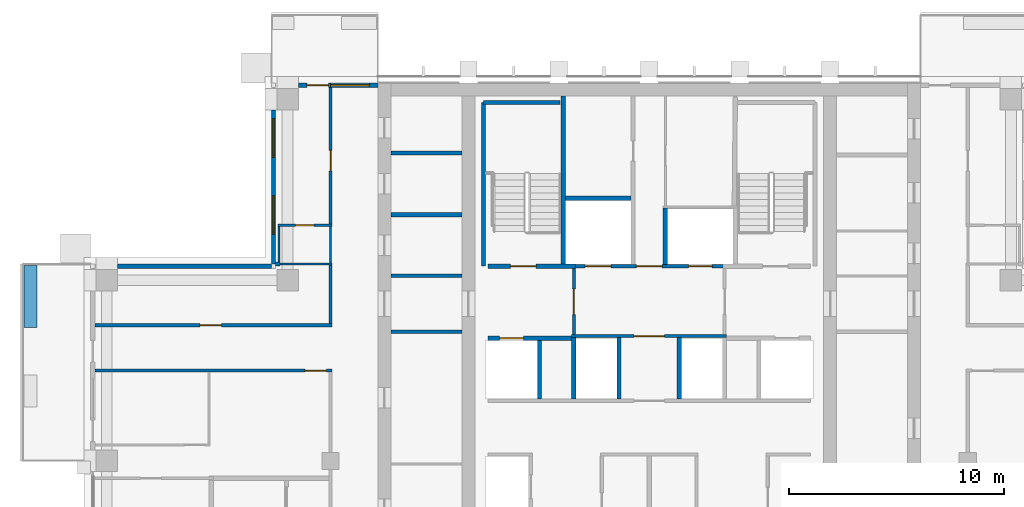
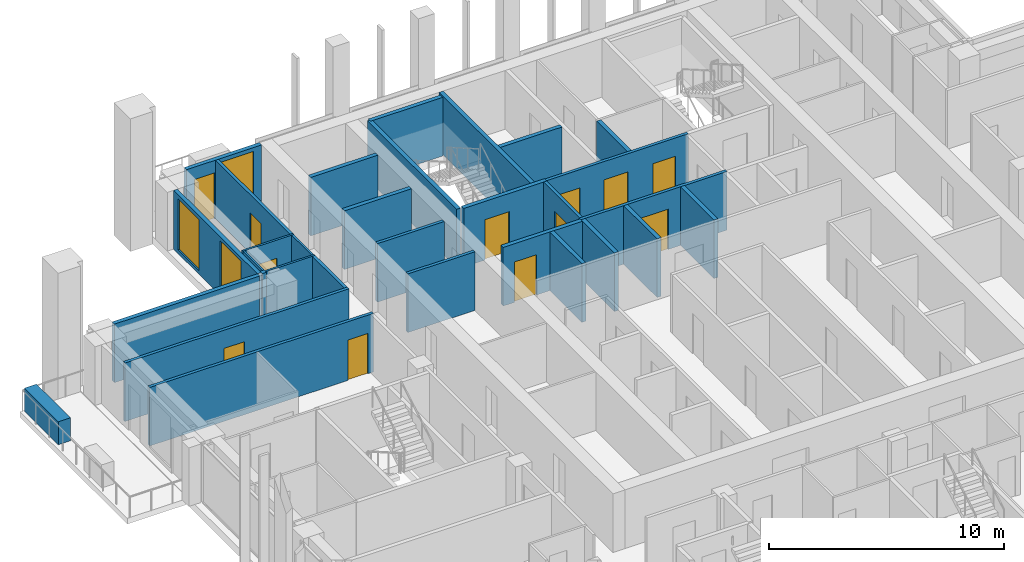
# One storey, part 10 of 16: 31 walls, 12 doors, 3 windows, 15 openings.
"""IFC4 building model written with IfcOpenShell, lengths in metres."""

import ifcopenshell
import ifcopenshell.guid

model = None  # the IFC model being written
_history = None  # IfcOwnerHistory: only IFC2X3 demands one
_inside = {}  # id of a spatial element -> (the spatial element, [elements in it])
_under = {}  # id of a project, library or spatial element -> (it, [spatial elements below it])
_declared = {}  # id of a project -> (the project, [libraries it declares])
_typed = {}  # id of a type object -> (the type object, [elements of that type])
_made_of = {}  # id of a material, layer set ... -> (it, [elements and type objects made of it])


def new_model(schema):
    """Start an empty IFC model of exactly this schema.

    Asked for "IFC4X3", IfcOpenShell would pick the latest addendum, in which some entities
    have other attributes; the version numbers below select the first issue.
    IFC2X3 requires an IfcOwnerHistory on every rooted entity: one is made here for all.
    """
    global model, _history
    if schema == "IFC4X3":
        model = ifcopenshell.file(schema_version=(4, 3, 0, 0))
    else:
        model = ifcopenshell.file(schema=schema)
    _inside.clear()
    _under.clear()
    _declared.clear()
    _typed.clear()
    _made_of.clear()
    _history = None
    if model.schema == "IFC2X3":
        org = make("IfcOrganization", Name="unknown")
        user = make(
            "IfcPersonAndOrganization",
            ThePerson=make("IfcPerson", FamilyName="unknown"),
            TheOrganization=org,
        )
        app = make(
            "IfcApplication",
            ApplicationDeveloper=org,
            Version="unknown",
            ApplicationFullName="unknown",
            ApplicationIdentifier="unknown",
        )
        _history = make(
            "IfcOwnerHistory",
            OwningUser=user,
            OwningApplication=app,
            ChangeAction="ADDED",
            CreationDate=0,
        )
    return model


def make(cls, **values):
    """One entity of the class cls with the attributes given. An attribute that is None is left unset."""
    return model.create_entity(
        cls, **{name: value for name, value in values.items() if value is not None}
    )


def rooted(cls, **values):
    """An entity with a GlobalId (a new one), such as an element, a storey or a relation."""
    return make(cls, GlobalId=ifcopenshell.guid.new(), OwnerHistory=_history, **values)


def si_unit(unit_type, name, prefix=None):
    """IfcSIUnit, for example si_unit("LENGTHUNIT", "METRE", prefix="MILLI")."""
    return make("IfcSIUnit", UnitType=unit_type, Prefix=prefix, Name=name)


def assignment(units):
    """IfcUnitAssignment: the units of a project."""
    return None if units is None else make("IfcUnitAssignment", Units=units)


def point(xyz):
    """IfcCartesianPoint."""
    return None if xyz is None else make("IfcCartesianPoint", Coordinates=xyz)


def direction(xyz):
    """IfcDirection."""
    return None if xyz is None else make("IfcDirection", DirectionRatios=xyz)


def frame(location, z_axis=None, x_axis=None):
    """IfcAxis2Placement3D, a coordinate frame: its origin and axes. An axis left out is left unset."""
    return make(
        "IfcAxis2Placement3D",
        Location=point(location),
        Axis=direction(z_axis),
        RefDirection=direction(x_axis),
    )


def frame_2d(location, x_axis=None):
    """IfcAxis2Placement2D, a coordinate frame in the plane: its origin and x axis."""
    return make(
        "IfcAxis2Placement2D", Location=point(location), RefDirection=direction(x_axis)
    )


def origin():
    """The frame at (0, 0, 0) with its axes left unset."""
    return frame((0.0, 0.0, 0.0))


def place(relative_to, where):
    """IfcLocalPlacement: puts the frame where relative to a parent placement (None: the world)."""
    return make(
        "IfcLocalPlacement", PlacementRelTo=relative_to, RelativePlacement=where
    )


def context(
    kind, dimensions, precision=None, world=None, true_north=None, identifier=None
):
    """IfcGeometricRepresentationContext, for example the 3D "Model" context."""
    return make(
        "IfcGeometricRepresentationContext",
        ContextIdentifier=identifier,
        ContextType=kind,
        CoordinateSpaceDimension=dimensions,
        Precision=precision,
        WorldCoordinateSystem=world,
        TrueNorth=true_north,
    )


def subcontext(parent, identifier, kind, view, scale=None):
    """IfcGeometricRepresentationSubContext, for example "Body" below "Model"."""
    return make(
        "IfcGeometricRepresentationSubContext",
        ContextIdentifier=identifier,
        ContextType=kind,
        ParentContext=parent,
        TargetScale=scale,
        TargetView=view,
    )


def project(units=None, contexts=None):
    """IfcProject with its units and contexts."""
    return rooted(
        "IfcProject",
        Name="project",
        RepresentationContexts=contexts,
        UnitsInContext=assignment(units),
    )


def spatial(cls, under=None, at=None, **own):
    """A site, building, storey or space (cls), placed at a placement, below another one or the project."""
    s = rooted(cls, ObjectPlacement=at, **own)
    if under is not None:
        _under.setdefault(under.id(), (under, []))[1].append(s)
    return s


def profile(cls, at=None, kind="AREA", **sizes):
    """A parametric profile (cls). Its sizes go by their IFC names, for example OverallWidth=200.0."""
    return make(cls, ProfileType=kind, Position=at, **sizes)


def rectangle(**sizes):
    """IfcRectangleProfileDef."""
    return profile("IfcRectangleProfileDef", **sizes)


def extrude(swept, where, along, depth):
    """IfcExtrudedAreaSolid: the profile swept, set in the frame where, extruded along a direction by depth."""
    return make(
        "IfcExtrudedAreaSolid",
        SweptArea=swept,
        Position=where,
        ExtrudedDirection=direction(along),
        Depth=depth,
    )


def shape(context_of_items, identifier, shape_type, items):
    """IfcShapeRepresentation: the items that make up one representation, for example the "Body"."""
    return make(
        "IfcShapeRepresentation",
        ContextOfItems=context_of_items,
        RepresentationIdentifier=identifier,
        RepresentationType=shape_type,
        Items=items,
    )


def material(Name=None, Category=None):
    """IfcMaterial."""
    return make("IfcMaterial", Name=Name, Category=Category)


def layer(
    of_material, thickness, ventilated=None, Name=None, Category=None, Priority=None
):
    """IfcMaterialLayer: one layer of a wall or slab, of a material (None: an air gap)."""
    return make(
        "IfcMaterialLayer",
        Material=of_material,
        LayerThickness=thickness,
        IsVentilated=ventilated,
        Name=Name,
        Category=Category,
        Priority=Priority,
    )


def layer_set(layers, Name=None):
    """IfcMaterialLayerSet."""
    return make("IfcMaterialLayerSet", MaterialLayers=layers, LayerSetName=Name)


def made_of(thing, what):
    """Note that an element or type object is made of a material, layer set ...; save() writes the relation."""
    if what is not None:
        _made_of.setdefault(what.id(), (what, []))[1].append(thing)
    return thing


def type_object(cls, material=None, **own):
    """A type object (cls), such as IfcWallType, which elements share."""
    return made_of(rooted(cls, **own), material)


def element(
    cls,
    number,
    at=None,
    inside=None,
    cuts=None,
    type_object=None,
    material=None,
    context=None,
    identifier="Body",
    shape_type=None,
    held_by="IfcProductDefinitionShape",
    body=None,
    shapes=None,
    **own,
):
    """One element of the class cls, such as IfcWall. Its Tag is "e" and its number.

    at: its placement. inside: the storey or other place that contains it. cuts: it is an
    opening in that element (IfcRelVoidsElement). A single representation is given by context,
    identifier, shape_type and body (its items); several are given by shapes. held_by: the class
    of the entity that holds the representations. save() writes the other relations.
    """
    e = rooted(cls, Tag="e%d" % number, ObjectPlacement=at, **own)
    if body is not None:
        shapes = [shape(context, identifier, shape_type, body)]
    if shapes is not None:
        e.Representation = make(held_by, Representations=shapes)
    if inside is not None:
        _inside.setdefault(inside.id(), (inside, []))[1].append(e)
    if cuts is not None:
        rooted(
            "IfcRelVoidsElement", RelatingBuildingElement=cuts, RelatedOpeningElement=e
        )
    if type_object is not None:
        _typed.setdefault(type_object.id(), (type_object, []))[1].append(e)
    return made_of(e, material)


def fill(opening, filler):
    """IfcRelFillsElement: the door or window that sits in an opening."""
    return rooted(
        "IfcRelFillsElement",
        RelatingOpeningElement=opening,
        RelatedBuildingElement=filler,
    )


def aggregate(whole, parts):
    """IfcRelAggregates: a whole, such as a stair, and the parts it consists of."""
    return rooted("IfcRelAggregates", RelatingObject=whole, RelatedObjects=parts)


def save(model, path):
    """Write the relations noted so far, then the file.

    IfcRelAggregates (storeys below a building ...), IfcRelContainedInSpatialStructure (elements
    in a storey), IfcRelDefinesByType, IfcRelAssociatesMaterial and IfcRelDeclares: one each for
    every whole, place, type object, material and project.
    """
    for whole, parts in _under.values():
        aggregate(whole, parts)
    for where, things in _inside.values():
        rooted(
            "IfcRelContainedInSpatialStructure",
            RelatedElements=things,
            RelatingStructure=where,
        )
    for kind, things in _typed.values():
        rooted("IfcRelDefinesByType", RelatedObjects=things, RelatingType=kind)
    for what, things in _made_of.values():
        rooted("IfcRelAssociatesMaterial", RelatedObjects=things, RelatingMaterial=what)
    for by, libraries in _declared.values():
        rooted("IfcRelDeclares", RelatingContext=by, RelatedDefinitions=libraries)
    model.write(path)


model = new_model("IFC4")

# Units and contexts
model_context = context("Model", 3, precision=1e-05, world=origin(), true_north=direction((0.0, 1.0)))
body_context = subcontext(model_context, "Body", "Model", "MODEL_VIEW")
ifc_project = project(units=[si_unit("LENGTHUNIT", "METRE"), si_unit("AREAUNIT", "SQUARE_METRE"), si_unit("VOLUMEUNIT", "CUBIC_METRE"), si_unit("PLANEANGLEUNIT", "RADIAN"), si_unit("MASSUNIT", "GRAM", prefix="KILO")], contexts=[model_context])

# Site, building, storey
site_placement = place(None, origin())
site = spatial("IfcSite", under=ifc_project, at=site_placement, CompositionType="ELEMENT")
building_placement = place(site_placement, origin())
building = spatial("IfcBuilding", under=site, at=building_placement, Name="Vermilion Ogive Tower", CompositionType="ELEMENT")
storey_placement = place(building_placement, frame((0.0, 0.0, 206.60009765625)))
storey = spatial("IfcBuildingStorey", under=building, at=storey_placement, Name="L54", CompositionType="ELEMENT", Elevation=206.60009765625)

# Wall
ifc_material_1 = material(Name="Gypsum board partition on steel studs", Category="steel")
ifc_layer_1 = layer(ifc_material_1, 0.10009765625)
ifc_layer_set_1 = layer_set([ifc_layer_1], Name="Partition 100 bath")
wall_type_1 = type_object("IfcWallType", Name="Partition 100 bath", PredefinedType="PARTITIONING", material=ifc_layer_set_1)
wall_1_placement = place(storey_placement, frame((-17.25, 13.35009765625, 0.0), z_axis=(0.0, 0.0, 1.0), x_axis=(1.0, 0.0, 0.0)))
element("IfcWall", 1, at=wall_1_placement, inside=storey, type_object=wall_type_1, Name="L54-W-W034", PredefinedType="PARTITIONING", context=body_context, shape_type="SweptSolid", body=[
    extrude(rectangle(XDim=2.52490234375, YDim=0.10009765625, at=frame_2d((1.262451171875, 0.0))), origin(), (0.0, 0.0, 1.0), 3.0498046875),
])

# Wall, opening, door
wall_2_placement = place(storey_placement, frame((-17.25, 15.14990234375, 0.0), z_axis=(0.0, 0.0, 1.0), x_axis=(1.0, 0.0, 0.0)))
wall_2 = element("IfcWall", 2, at=wall_2_placement, inside=storey, type_object=wall_type_1, Name="L54-W-W037", PredefinedType="PARTITIONING", context=body_context, shape_type="SweptSolid", body=[
    extrude(rectangle(XDim=2.52490234375, YDim=0.10009765625, at=frame_2d((1.262451171875, 0.0))), origin(), (0.0, 0.0, 1.0), 3.0498046875),
])
opening_1_placement = place(wall_2_placement, frame((0.824951171875, 0.0, 0.0)))
opening_1 = element("IfcOpeningElement", 3, at=opening_1_placement, cuts=wall_2, Name="Opening D4G5008", PredefinedType="OPENING", context=body_context, shape_type="SweptSolid", body=[
    extrude(rectangle(XDim=0.85009765625, YDim=2.10009765625, at=frame_2d((0.425048828125, 1.050048828125))), frame((0.0, 0.06005859375, 0.0), z_axis=(0.0, -1.0, 0.0), x_axis=(1.0, 0.0, 0.0)), (0.0, 0.0, 1.0), 0.1201171875),
])
ifc_material_2 = material(Name="Timber door leaf", Category="wood")
door_type_1 = type_object("IfcDoorType", Name="Bath door 850 x 2100 FD30", OperationType="SINGLE_SWING_LEFT", PredefinedType="DOOR", material=ifc_material_2)
door_1_placement = place(opening_1_placement, origin())
door_1 = element("IfcDoor", 4, at=door_1_placement, inside=storey, type_object=door_type_1, Name="L54-D-D008", OperationType="SINGLE_SWING_RIGHT", OverallHeight=2.10009765625, OverallWidth=0.85009765625, PredefinedType="DOOR", context=body_context, shape_type="SweptSolid", body=[
    extrude(rectangle(XDim=0.85009765625, YDim=2.10009765625, at=frame_2d((0.425048828125, 1.050048828125))), frame((0.0, 0.02490234375, 0.0), z_axis=(0.0, -1.0, 0.0), x_axis=(1.0, 0.0, 0.0)), (0.0, 0.0, 1.0), 0.050048828125),
])
fill(opening_1, door_1)

# Walls
wall_3_placement = place(storey_placement, frame((-17.199951171875, 13.449951171875, 0.0), z_axis=(0.0, 0.0, 1.0), x_axis=(0.0, 1.0, 0.0)))
element("IfcWall", 5, at=wall_3_placement, inside=storey, type_object=wall_type_1, Name="L54-W-W043", PredefinedType="PARTITIONING", context=body_context, shape_type="SweptSolid", body=[
    extrude(rectangle(XDim=1.650146484375, YDim=0.10009765625, at=frame_2d((0.8251953125, 0.0))), origin(), (0.0, 0.0, 1.0), 3.0498046875),
])
wall_4_placement = place(storey_placement, frame((-14.800048828125, 13.39990234375, 0.0), z_axis=(0.0, 0.0, 1.0), x_axis=(0.0, 1.0, 0.0)))
element("IfcWall", 6, at=wall_4_placement, inside=storey, type_object=wall_type_1, Name="L54-W-W048", PredefinedType="PARTITIONING", context=body_context, shape_type="SweptSolid", body=[
    extrude(rectangle(XDim=1.7001953125, YDim=0.10009765625, at=frame_2d((0.85009765625, 0.0))), origin(), (0.0, 0.0, 1.0), 3.0498046875),
])

# Wall, opening, door
ifc_material_3 = material(Name="Gypsum board partition on steel studs", Category="steel")
ifc_layer_2 = layer(ifc_material_3, 0.14990234375)
ifc_layer_set_2 = layer_set([ifc_layer_2], Name="Partition 150 corridor")
wall_type_2 = type_object("IfcWallType", Name="Partition 150 corridor", PredefinedType="PARTITIONING", material=ifc_layer_set_2)
wall_5_placement = place(storey_placement, frame((-25.75, 8.39990234375, 0.0), z_axis=(0.0, 0.0, 1.0), x_axis=(1.0, 0.0, 0.0)))
wall_5 = element("IfcWall", 7, at=wall_5_placement, inside=storey, type_object=wall_type_2, Name="L54-W-W029", PredefinedType="PARTITIONING", context=body_context, shape_type="SweptSolid", body=[
    extrude(rectangle(XDim=11.02490234375, YDim=0.14990234375, at=frame_2d((5.512451171875, 0.0))), origin(), (0.0, 0.0, 1.0), 3.0498046875),
])
opening_2_placement = place(wall_5_placement, frame((9.75, 0.0, 0.0)))
opening_2 = element("IfcOpeningElement", 8, at=opening_2_placement, cuts=wall_5, Name="Opening D4G5004", PredefinedType="OPENING", context=body_context, shape_type="SweptSolid", body=[
    extrude(rectangle(XDim=1.0, YDim=2.10009765625, at=frame_2d((0.5, 1.050048828125))), frame((0.0, 0.0849609375, 0.0), z_axis=(0.0, -1.0, 0.0), x_axis=(1.0, 0.0, 0.0)), (0.0, 0.0, 1.0), 0.169921875),
])
ifc_material_4 = material(Name="Timber door leaf", Category="wood")
door_type_2 = type_object("IfcDoorType", Name="Unit door 1000 x 2100 FD30S", OperationType="SINGLE_SWING_LEFT", PredefinedType="DOOR", material=ifc_material_4)
door_2_placement = place(opening_2_placement, origin())
door_2 = element("IfcDoor", 9, at=door_2_placement, inside=storey, type_object=door_type_2, Name="L54-D-D004", OperationType="SINGLE_SWING_RIGHT", OverallHeight=2.10009765625, OverallWidth=1.0, PredefinedType="DOOR", context=body_context, shape_type="SweptSolid", body=[
    extrude(rectangle(XDim=1.0, YDim=2.10009765625, at=frame_2d((0.5, 1.050048828125))), frame((0.0, 0.02490234375, 0.0), z_axis=(0.0, -1.0, 0.0), x_axis=(1.0, 0.0, 0.0)), (0.0, 0.0, 1.0), 0.050048828125),
])
fill(opening_2, door_2)

wall_6_placement = place(storey_placement, frame((-25.75, 10.5, 0.0), z_axis=(0.0, 0.0, 1.0), x_axis=(1.0, 0.0, 0.0)))
wall_6 = element("IfcWall", 10, at=wall_6_placement, inside=storey, type_object=wall_type_2, Name="L54-W-W031", PredefinedType="PARTITIONING", context=body_context, shape_type="SweptSolid", body=[
    extrude(rectangle(XDim=11.02490234375, YDim=0.14990234375, at=frame_2d((5.512451171875, 0.0))), origin(), (0.0, 0.0, 1.0), 3.0498046875),
])
opening_3_placement = place(wall_6_placement, frame((4.875, 0.0, 0.0)))
opening_3 = element("IfcOpeningElement", 11, at=opening_3_placement, cuts=wall_6, Name="Opening D4G5034", PredefinedType="OPENING", context=body_context, shape_type="SweptSolid", body=[
    extrude(rectangle(XDim=1.0, YDim=2.10009765625, at=frame_2d((0.5, 1.050048828125))), frame((0.0, 0.0849609375, 0.0), z_axis=(0.0, -1.0, 0.0), x_axis=(1.0, 0.0, 0.0)), (0.0, 0.0, 1.0), 0.169921875),
])
door_3_placement = place(opening_3_placement, origin())
door_3 = element("IfcDoor", 12, at=door_3_placement, inside=storey, type_object=door_type_2, Name="L54-D-D034", OperationType="SINGLE_SWING_RIGHT", OverallHeight=2.10009765625, OverallWidth=1.0, PredefinedType="DOOR", context=body_context, shape_type="SweptSolid", body=[
    extrude(rectangle(XDim=1.0, YDim=2.10009765625, at=frame_2d((0.5, 1.050048828125))), frame((0.0, 0.02490234375, 0.0), z_axis=(0.0, -1.0, 0.0), x_axis=(1.0, 0.0, 0.0)), (0.0, 0.0, 1.0), 0.050048828125),
])
fill(opening_3, door_3)

# Wall
wall_7_placement = place(storey_placement, frame((-14.800048828125, 10.574951171875, 0.0), z_axis=(0.0, 0.0, 1.0), x_axis=(0.0, 1.0, 0.0)))
element("IfcWall", 13, at=wall_7_placement, inside=storey, type_object=wall_type_2, Name="L54-W-W047", PredefinedType="PARTITIONING", context=body_context, shape_type="SweptSolid", body=[
    extrude(rectangle(XDim=2.72509765625, YDim=0.14990234375, at=frame_2d((1.362548828125, 0.0))), origin(), (0.0, 0.0, 1.0), 3.0498046875),
])

# Wall, opening, door
wall_8_placement = place(storey_placement, frame((-14.800048828125, 15.199951171875, 0.0), z_axis=(0.0, 0.0, 1.0), x_axis=(0.0, 1.0, 0.0)))
wall_8 = element("IfcWall", 14, at=wall_8_placement, inside=storey, type_object=wall_type_2, Name="L54-W-W049", PredefinedType="PARTITIONING", context=body_context, shape_type="SweptSolid", body=[
    extrude(rectangle(XDim=6.35009765625, YDim=0.14990234375, at=frame_2d((3.175048828125, 0.0))), origin(), (0.0, 0.0, 1.0), 3.0498046875),
])
opening_4_placement = place(wall_8_placement, frame((2.47509765625, 0.0, 0.0)))
opening_4 = element("IfcOpeningElement", 15, at=opening_4_placement, cuts=wall_8, Name="Opening D4G5007", PredefinedType="OPENING", context=body_context, shape_type="SweptSolid", body=[
    extrude(rectangle(XDim=0.949951171875, YDim=2.10009765625, at=frame_2d((0.47509765625, 1.050048828125))), frame((0.0, 0.0849609375, 0.0), z_axis=(0.0, -1.0, 0.0), x_axis=(1.0, 0.0, 0.0)), (0.0, 0.0, 1.0), 0.169921875),
])
ifc_material_5 = material(Name="Timber door leaf", Category="wood")
door_type_3 = type_object("IfcDoorType", Name="Unit door 950 x 2100 FD30S", OperationType="SINGLE_SWING_LEFT", PredefinedType="DOOR", material=ifc_material_5)
door_4_placement = place(opening_4_placement, origin())
door_4 = element("IfcDoor", 16, at=door_4_placement, inside=storey, type_object=door_type_3, Name="L54-D-D007", OperationType="SINGLE_SWING_RIGHT", OverallHeight=2.10009765625, OverallWidth=0.949951171875, PredefinedType="DOOR", context=body_context, shape_type="SweptSolid", body=[
    extrude(rectangle(XDim=0.949951171875, YDim=2.10009765625, at=frame_2d((0.47509765625, 1.050048828125))), frame((0.0, 0.02490234375, 0.0), z_axis=(0.0, -1.0, 0.0), x_axis=(1.0, 0.0, 0.0)), (0.0, 0.0, 1.0), 0.050048828125),
])
fill(opening_4, door_4)

wall_9_placement = place(storey_placement, frame((-3.60009765625, 10.0, 0.0), z_axis=(0.0, 0.0, 1.0), x_axis=(1.0, 0.0, 0.0)))
wall_9 = element("IfcWall", 17, at=wall_9_placement, inside=storey, type_object=wall_type_2, Name="L54-CK-W-W014", PredefinedType="PARTITIONING", context=body_context, shape_type="SweptSolid", body=[
    extrude(rectangle(XDim=7.2001953125, YDim=0.14990234375, at=frame_2d((3.60009765625, 0.0))), origin(), (0.0, 0.0, 1.0), 3.0498046875),
])
opening_5_placement = place(wall_9_placement, frame((2.900146484375, 0.0, 0.0)))
opening_5 = element("IfcOpeningElement", 18, at=opening_5_placement, cuts=wall_9, Name="Opening DAA493", PredefinedType="OPENING", context=body_context, shape_type="SweptSolid", body=[
    extrude(rectangle(XDim=1.39990234375, YDim=2.10009765625, at=frame_2d((0.699951171875, 1.050048828125))), frame((0.0, 0.0849609375, 0.0), z_axis=(0.0, -1.0, 0.0), x_axis=(1.0, 0.0, 0.0)), (0.0, 0.0, 1.0), 0.169921875),
])
ifc_material_6 = material(Name="Timber door leaf", Category="wood")
door_type_4 = type_object("IfcDoorType", Name="Lobby door 1400 x 2100 FD60S", OperationType="SINGLE_SWING_LEFT", PredefinedType="DOOR", material=ifc_material_6)
door_5_placement = place(opening_5_placement, origin())
door_5 = element("IfcDoor", 19, at=door_5_placement, inside=storey, type_object=door_type_4, Name="L54-CK-D-D017", OperationType="SINGLE_SWING_RIGHT", OverallHeight=2.10009765625, OverallWidth=1.39990234375, PredefinedType="DOOR", context=body_context, shape_type="SweptSolid", body=[
    extrude(rectangle(XDim=1.39990234375, YDim=2.10009765625, at=frame_2d((0.699951171875, 1.050048828125))), frame((0.0, 0.02490234375, 0.0), z_axis=(0.0, -1.0, 0.0), x_axis=(1.0, 0.0, 0.0)), (0.0, 0.0, 1.0), 0.050048828125),
])
fill(opening_5, door_5)

# Wall, openings, doors
wall_10_placement = place(storey_placement, frame((-3.574951171875, 13.25, 0.0), z_axis=(0.0, 0.0, 1.0), x_axis=(1.0, 0.0, 0.0)))
wall_10 = element("IfcWall", 20, at=wall_10_placement, inside=storey, type_object=wall_type_2, Name="L54-CK-W-W016", PredefinedType="PARTITIONING", context=body_context, shape_type="SweptSolid", body=[
    extrude(rectangle(XDim=7.14990234375, YDim=0.14990234375, at=frame_2d((3.574951171875, 0.0))), origin(), (0.0, 0.0, 1.0), 3.0498046875),
])
opening_6_placement = place(wall_10_placement, frame((0.599853515625, 0.0, 0.0)))
opening_6 = element("IfcOpeningElement", 21, at=opening_6_placement, cuts=wall_10, Name="Opening DAA513", PredefinedType="OPENING", context=body_context, shape_type="SweptSolid", body=[
    extrude(rectangle(XDim=1.199951171875, YDim=2.10009765625, at=frame_2d((0.60009765625, 1.050048828125))), frame((0.0, 0.0849609375, 0.0), z_axis=(0.0, -1.0, 0.0), x_axis=(1.0, 0.0, 0.0)), (0.0, 0.0, 1.0), 0.169921875),
])
opening_7_placement = place(wall_10_placement, frame((5.39990234375, 0.0, 0.0)))
opening_7 = element("IfcOpeningElement", 22, at=opening_7_placement, cuts=wall_10, Name="Opening DAA512", PredefinedType="OPENING", context=body_context, shape_type="SweptSolid", body=[
    extrude(rectangle(XDim=1.10009765625, YDim=2.10009765625, at=frame_2d((0.550048828125, 1.050048828125))), frame((0.0, 0.0849609375, 0.0), z_axis=(0.0, -1.0, 0.0), x_axis=(1.0, 0.0, 0.0)), (0.0, 0.0, 1.0), 0.169921875),
])
opening_8_placement = place(wall_10_placement, frame((2.974853515625, 0.0, 0.0)))
opening_8 = element("IfcOpeningElement", 23, at=opening_8_placement, cuts=wall_10, Name="Opening DAA494", PredefinedType="OPENING", context=body_context, shape_type="SweptSolid", body=[
    extrude(rectangle(XDim=1.199951171875, YDim=2.10009765625, at=frame_2d((0.60009765625, 1.050048828125))), frame((0.0, 0.0849609375, 0.0), z_axis=(0.0, -1.0, 0.0), x_axis=(1.0, 0.0, 0.0)), (0.0, 0.0, 1.0), 0.169921875),
])
ifc_material_7 = material(Name="Stainless steel", Category="steel")
door_type_5 = type_object("IfcDoorType", Name="Lift landing door 1100 x 2100", OperationType="SLIDING_TO_LEFT", PredefinedType="DOOR", material=ifc_material_7)
door_6_placement = place(opening_7_placement, origin())
door_6 = element("IfcDoor", 24, at=door_6_placement, inside=storey, type_object=door_type_5, Name="L54-CK-D-D019", OperationType="SLIDING_TO_LEFT", OverallHeight=2.10009765625, OverallWidth=1.10009765625, PredefinedType="DOOR", context=body_context, shape_type="SweptSolid", body=[
    extrude(rectangle(XDim=1.10009765625, YDim=2.10009765625, at=frame_2d((0.550048828125, 1.050048828125))), frame((0.0, 0.02490234375, 0.0), z_axis=(0.0, -1.0, 0.0), x_axis=(1.0, 0.0, 0.0)), (0.0, 0.0, 1.0), 0.050048828125),
])
fill(opening_7, door_6)
ifc_material_8 = material(Name="Stainless steel", Category="steel")
door_type_6 = type_object("IfcDoorType", Name="Lift landing door 1200 x 2100", OperationType="SLIDING_TO_LEFT", PredefinedType="DOOR", material=ifc_material_8)
door_7_placement = place(opening_6_placement, origin())
door_7 = element("IfcDoor", 25, at=door_7_placement, inside=storey, type_object=door_type_6, Name="L54-CK-D-D018", OperationType="SLIDING_TO_RIGHT", OverallHeight=2.10009765625, OverallWidth=1.199951171875, PredefinedType="DOOR", context=body_context, shape_type="SweptSolid", body=[
    extrude(rectangle(XDim=1.199951171875, YDim=2.10009765625, at=frame_2d((0.60009765625, 1.050048828125))), frame((0.0, 0.02490234375, 0.0), z_axis=(0.0, -1.0, 0.0), x_axis=(1.0, 0.0, 0.0)), (0.0, 0.0, 1.0), 0.050048828125),
])
fill(opening_6, door_7)
ifc_material_9 = material(Name="Timber door leaf", Category="wood")
door_type_7 = type_object("IfcDoorType", Name="Service door 1200 x 2100 FD60", OperationType="SINGLE_SWING_LEFT", PredefinedType="DOOR", material=ifc_material_9)
door_8_placement = place(opening_8_placement, origin())
door_8 = element("IfcDoor", 26, at=door_8_placement, inside=storey, type_object=door_type_7, Name="L54-CK-D-D020", OperationType="SINGLE_SWING_RIGHT", OverallHeight=2.10009765625, OverallWidth=1.199951171875, PredefinedType="DOOR", context=body_context, shape_type="SweptSolid", body=[
    extrude(rectangle(XDim=1.199951171875, YDim=2.10009765625, at=frame_2d((0.60009765625, 1.050048828125))), frame((0.0, 0.02490234375, 0.0), z_axis=(0.0, -1.0, 0.0), x_axis=(1.0, 0.0, 0.0)), (0.0, 0.0, 1.0), 0.050048828125),
])
fill(opening_8, door_8)

# Wall, opening, door
wall_11_placement = place(storey_placement, frame((-3.5, 10.074951171875, 0.0), z_axis=(0.0, 0.0, 1.0), x_axis=(0.0, 1.0, 0.0)))
wall_11 = element("IfcWall", 27, at=wall_11_placement, inside=storey, type_object=wall_type_2, Name="L54-CK-W-W024", PredefinedType="PARTITIONING", context=body_context, shape_type="SweptSolid", body=[
    extrude(rectangle(XDim=3.074951171875, YDim=0.14990234375, at=frame_2d((1.53759765625, 0.0))), origin(), (0.0, 0.0, 1.0), 3.0498046875),
])
opening_9_placement = place(wall_11_placement, frame((0.925048828125, 0.0, 0.0)))
opening_9 = element("IfcOpeningElement", 28, at=opening_9_placement, cuts=wall_11, Name="Opening DAA490", PredefinedType="OPENING", context=body_context, shape_type="SweptSolid", body=[
    extrude(rectangle(XDim=1.199951171875, YDim=2.10009765625, at=frame_2d((0.60009765625, 1.050048828125))), frame((0.0, 0.0849609375, 0.0), z_axis=(0.0, -1.0, 0.0), x_axis=(1.0, 0.0, 0.0)), (0.0, 0.0, 1.0), 0.169921875),
])
ifc_material_10 = material(Name="Timber door leaf", Category="wood")
door_type_8 = type_object("IfcDoorType", Name="Lobby door 1200 x 2100 FD60S", OperationType="SINGLE_SWING_LEFT", PredefinedType="DOOR", material=ifc_material_10)
door_9_placement = place(opening_9_placement, origin())
door_9 = element("IfcDoor", 29, at=door_9_placement, inside=storey, type_object=door_type_8, Name="L54-CK-D-D023", OperationType="SINGLE_SWING_RIGHT", OverallHeight=2.10009765625, OverallWidth=1.199951171875, PredefinedType="DOOR", context=body_context, shape_type="SweptSolid", body=[
    extrude(rectangle(XDim=1.199951171875, YDim=2.10009765625, at=frame_2d((0.60009765625, 1.050048828125))), frame((0.0, 0.02490234375, 0.0), z_axis=(0.0, -1.0, 0.0), x_axis=(1.0, 0.0, 0.0)), (0.0, 0.0, 1.0), 0.050048828125),
])
fill(opening_9, door_9)

# Walls
for number, where, z_axis, x_axis, name in (
    (30, (-11.9990234375, 10.199951171875, 0.0), (0.0, 0.0, 1.0), (1.0, 0.0, 0.0), "L54-CKW-W-W003"),
    (31, (-11.9990234375, 12.800048828125, 0.0), (0.0, 0.0, 1.0), (1.0, 0.0, 0.0), "L54-CKW-W-W004"),
):
    element("IfcWall", number, at=place(storey_placement, frame(where, z_axis=z_axis, x_axis=x_axis)), inside=storey, type_object=wall_type_2, Name=name, PredefinedType="PARTITIONING", context=body_context, shape_type="SweptSolid", body=[
        extrude(rectangle(XDim=3.298095703125, YDim=0.14990234375, at=frame_2d((1.64892578125, 0.0))), origin(), (0.0, 0.0, 1.0), 3.0498046875),
    ])
ifc_material_11 = material(Name="Gypsum board partition on steel studs", Category="steel")
ifc_layer_3 = layer(ifc_material_11, 0.199951171875)
ifc_layer_set_3 = layer_set([ifc_layer_3], Name="Partition 200 party")
wall_type_3 = type_object("IfcWallType", Name="Partition 200 party", PredefinedType="PARTITIONING", material=ifc_layer_set_3)
wall_12_placement = place(storey_placement, frame((-17.35009765625, 13.35009765625, 0.0), z_axis=(0.0, 0.0, 1.0), x_axis=(1.0, 0.0, 0.0)))
element("IfcWall", 32, at=wall_12_placement, inside=storey, type_object=wall_type_3, Name="L54-W-W033", PredefinedType="PARTITIONING", context=body_context, shape_type="SweptSolid", body=[
    extrude(rectangle(XDim=0.2001953125, YDim=0.199951171875, at=frame_2d((0.10009765625, 0.0))), origin(), (0.0, 0.0, 1.0), 3.0498046875),
])

# Wall, opening, door
wall_13_placement = place(storey_placement, frame((-7.5, 9.89990234375, 0.0), z_axis=(0.0, 0.0, 1.0), x_axis=(1.0, 0.0, 0.0)))
wall_13 = element("IfcWall", 33, at=wall_13_placement, inside=storey, type_object=wall_type_3, Name="L54-CK-W-W012", PredefinedType="PARTITIONING", context=body_context, shape_type="SweptSolid", body=[
    extrude(rectangle(XDim=3.89990234375, YDim=0.199951171875, at=frame_2d((1.949951171875, 0.0))), origin(), (0.0, 0.0, 1.0), 3.0498046875),
])
opening_10_placement = place(wall_13_placement, frame((0.550048828125, 0.0, 0.0)))
opening_10 = element("IfcOpeningElement", 34, at=opening_10_placement, cuts=wall_13, Name="Opening DAA510", PredefinedType="OPENING", context=body_context, shape_type="SweptSolid", body=[
    extrude(rectangle(XDim=1.10009765625, YDim=2.10009765625, at=frame_2d((0.550048828125, 1.050048828125))), frame((0.0, 0.10986328125, 0.0), z_axis=(0.0, -1.0, 0.0), x_axis=(1.0, 0.0, 0.0)), (0.0, 0.0, 1.0), 0.219970703125),
])
door_10_placement = place(opening_10_placement, origin())
door_10 = element("IfcDoor", 35, at=door_10_placement, inside=storey, type_object=door_type_5, Name="L54-CK-D-D013", OperationType="SLIDING_TO_RIGHT", OverallHeight=2.10009765625, OverallWidth=1.10009765625, PredefinedType="DOOR", context=body_context, shape_type="SweptSolid", body=[
    extrude(rectangle(XDim=1.10009765625, YDim=2.10009765625, at=frame_2d((0.550048828125, 1.050048828125))), frame((0.0, 0.02490234375, 0.0), z_axis=(0.0, -1.0, 0.0), x_axis=(1.0, 0.0, 0.0)), (0.0, 0.0, 1.0), 0.050048828125),
])
fill(opening_10, door_10)

# Walls
wall_14_placement = place(storey_placement, frame((-3.89990234375, 16.39990234375, 0.0), z_axis=(0.0, 0.0, 1.0), x_axis=(1.0, 0.0, 0.0)))
element("IfcWall", 36, at=wall_14_placement, inside=storey, type_object=wall_type_3, Name="L54-CK-W-W019", PredefinedType="PARTITIONING", context=body_context, shape_type="SweptSolid", body=[
    extrude(rectangle(XDim=3.0498046875, YDim=0.199951171875, at=frame_2d((1.52490234375, 0.0))), origin(), (0.0, 0.0, 1.0), 3.0498046875),
])
wall_15_placement = place(storey_placement, frame((-5.10009765625, 7.074951171875, 0.0), z_axis=(0.0, 0.0, 1.0), x_axis=(0.0, 1.0, 0.0)))
element("IfcWall", 37, at=wall_15_placement, inside=storey, type_object=wall_type_3, Name="L54-CK-W-W021", PredefinedType="PARTITIONING", context=body_context, shape_type="SweptSolid", body=[
    extrude(rectangle(XDim=2.72509765625, YDim=0.199951171875, at=frame_2d((1.362548828125, 0.0))), origin(), (0.0, 0.0, 1.0), 3.0498046875),
])
for number, where, z_axis, x_axis, name in (
    (38, (-3.5, 7.074951171875, 0.0), (0.0, 0.0, 1.0), (0.0, 1.0, 0.0), "L54-CK-W-W023"),
    (39, (-1.39990234375, 7.074951171875, 0.0), (0.0, 0.0, 1.0), (0.0, 1.0, 0.0), "L54-CK-W-W026"),
):
    element("IfcWall", number, at=place(storey_placement, frame(where, z_axis=z_axis, x_axis=x_axis)), inside=storey, type_object=wall_type_3, Name=name, PredefinedType="PARTITIONING", context=body_context, shape_type="SweptSolid", body=[
        extrude(rectangle(XDim=2.85009765625, YDim=0.199951171875, at=frame_2d((1.425048828125, 0.0))), origin(), (0.0, 0.0, 1.0), 3.0498046875),
    ])
wall_16_placement = place(storey_placement, frame((0.75, 13.324951171875, 0.0), z_axis=(0.0, 0.0, 1.0), x_axis=(0.0, 1.0, 0.0)))
element("IfcWall", 40, at=wall_16_placement, inside=storey, type_object=wall_type_3, Name="L54-CK-W-W029", PredefinedType="PARTITIONING", context=body_context, shape_type="SweptSolid", body=[
    extrude(rectangle(XDim=2.625, YDim=0.199951171875, at=frame_2d((1.3125, 0.0))), origin(), (0.0, 0.0, 1.0), 3.0498046875),
])
wall_17_placement = place(storey_placement, frame((1.39990234375, 7.074951171875, 0.0), z_axis=(0.0, 0.0, 1.0), x_axis=(0.0, 1.0, 0.0)))
element("IfcWall", 41, at=wall_17_placement, inside=storey, type_object=wall_type_3, Name="L54-CK-W-W031", PredefinedType="PARTITIONING", context=body_context, shape_type="SweptSolid", body=[
    extrude(rectangle(XDim=2.85009765625, YDim=0.199951171875, at=frame_2d((1.425048828125, 0.0))), origin(), (0.0, 0.0, 1.0), 3.0498046875),
])
for number, where, z_axis, x_axis, name in (
    (42, (-11.9990234375, 15.636962890625, 0.0), (0.0, 0.0, 1.0), (1.0, 0.0, 0.0), "L54-CKW-W-W005"),
    (43, (-11.9990234375, 18.509033203125, 0.0), (0.0, 0.0, 1.0), (1.0, 0.0, 0.0), "L54-CKW-W-W006"),
):
    element("IfcWall", number, at=place(storey_placement, frame(where, z_axis=z_axis, x_axis=x_axis)), inside=storey, type_object=wall_type_3, Name=name, PredefinedType="PARTITIONING", context=body_context, shape_type="SweptSolid", body=[
        extrude(rectangle(XDim=3.298095703125, YDim=0.199951171875, at=frame_2d((1.64892578125, 0.0))), origin(), (0.0, 0.0, 1.0), 3.0498046875),
    ])

# Wall, opening, door
ifc_material_12 = material(Name="Concrete B60", Category="concrete")
ifc_layer_4 = layer(ifc_material_12, 0.199951171875)
ifc_layer_set_4 = layer_set([ifc_layer_4], Name="Stair shaft wall 200 Concrete B60")
wall_type_4 = type_object("IfcWallType", Name="Stair shaft wall 200 Concrete B60", PredefinedType="SOLIDWALL", material=ifc_layer_set_4)
wall_18_placement = place(storey_placement, frame((-7.5, 13.25, 0.0), z_axis=(0.0, 0.0, 1.0), x_axis=(1.0, 0.0, 0.0)))
wall_18 = element("IfcWall", 44, at=wall_18_placement, inside=storey, type_object=wall_type_4, Name="L54-CK-W-W015", PredefinedType="SOLIDWALL", context=body_context, shape_type="SweptSolid", body=[
    extrude(rectangle(XDim=4.074951171875, YDim=0.199951171875, at=frame_2d((2.03759765625, 0.0))), origin(), (0.0, 0.0, 1.0), 3.0498046875),
])
opening_11_placement = place(wall_18_placement, frame((1.050048828125, 0.0, 0.0)))
opening_11 = element("IfcOpeningElement", 45, at=opening_11_placement, cuts=wall_18, Name="Opening DAA503", PredefinedType="OPENING", context=body_context, shape_type="SweptSolid", body=[
    extrude(rectangle(XDim=1.199951171875, YDim=2.10009765625, at=frame_2d((0.60009765625, 1.050048828125))), frame((0.0, 0.10986328125, 0.0), z_axis=(0.0, -1.0, 0.0), x_axis=(1.0, 0.0, 0.0)), (0.0, 0.0, 1.0), 0.219970703125),
])
ifc_material_13 = material(Name="Timber door leaf", Category="wood")
door_type_9 = type_object("IfcDoorType", Name="Stair door 1200 x 2100 FD60S", OperationType="SINGLE_SWING_LEFT", PredefinedType="DOOR", material=ifc_material_13)
door_11_placement = place(opening_11_placement, origin())
door_11 = element("IfcDoor", 46, at=door_11_placement, inside=storey, type_object=door_type_9, Name="L54-CK-D-D012", OperationType="SINGLE_SWING_LEFT", OverallHeight=2.10009765625, OverallWidth=1.199951171875, PredefinedType="DOOR", context=body_context, shape_type="SweptSolid", body=[
    extrude(rectangle(XDim=1.199951171875, YDim=2.10009765625, at=frame_2d((0.60009765625, 1.050048828125))), frame((0.0, 0.02490234375, 0.0), z_axis=(0.0, -1.0, 0.0), x_axis=(1.0, 0.0, 0.0)), (0.0, 0.0, 1.0), 0.050048828125),
])
fill(opening_11, door_11)

# Walls
wall_19_placement = place(storey_placement, frame((-4.0, 13.35009765625, 0.0), z_axis=(0.0, 0.0, 1.0), x_axis=(0.0, 1.0, 0.0)))
element("IfcWall", 47, at=wall_19_placement, inside=storey, type_object=wall_type_4, Name="L54-CK-W-W022", PredefinedType="SOLIDWALL", context=body_context, shape_type="SweptSolid", body=[
    extrude(rectangle(XDim=7.798828125, YDim=0.199951171875, at=frame_2d((3.8994140625, 0.0))), origin(), (0.0, 0.0, 1.0), 3.0498046875),
])
wall_20_placement = place(storey_placement, frame((-7.699951171875, 13.25, 0.0), z_axis=(0.0, 0.0, 1.0), x_axis=(0.0, 1.0, 0.0)))
element("IfcWall", 48, at=wall_20_placement, inside=storey, type_object=wall_type_4, Name="L54-SW-R017-W1", PredefinedType="SOLIDWALL", context=body_context, shape_type="SweptSolid", body=[
    extrude(rectangle(XDim=7.60009765625, YDim=0.199951171875, at=frame_2d((3.800048828125, 0.0))), origin(), (0.0, 0.0, 1.0), 3.0498046875),
])
wall_21_placement = place(storey_placement, frame((-7.699951171875, 20.85009765625, 0.0), z_axis=(0.0, 0.0, 1.0), x_axis=(1.0, 0.0, 0.0)))
element("IfcWall", 49, at=wall_21_placement, inside=storey, type_object=wall_type_4, Name="L54-SW-R017-N1", PredefinedType="SOLIDWALL", context=body_context, shape_type="SweptSolid", body=[
    extrude(rectangle(XDim=3.550048828125, YDim=0.199951171875, at=frame_2d((1.77490234375, 0.0))), origin(), (0.0, 0.0, 1.0), 3.0498046875),
])
ifc_material_14 = material(Name="Concrete B40", Category="concrete")
ifc_layer_5 = layer(ifc_material_14, 0.60009765625)
ifc_layer_set_5 = layer_set([ifc_layer_5], Name="Structural planter")
wall_type_5 = type_object("IfcWallType", Name="Structural planter", PredefinedType="USERDEFINED", material=ifc_layer_set_5)
wall_22_placement = place(storey_placement, frame((-28.75, 13.2900390625, -0.0400390625), z_axis=(0.0, 0.0, 1.0), x_axis=(0.0, -1.0, 0.0)))
element("IfcWall", 50, at=wall_22_placement, inside=storey, type_object=wall_type_5, Name="Planter W01A1", ObjectType="PLANTER", PredefinedType="USERDEFINED", context=body_context, shape_type="SweptSolid", body=[
    extrude(rectangle(XDim=2.89013671875, YDim=0.60009765625, at=frame_2d((1.445068359375, 0.0))), origin(), (0.0, 0.0, 1.0), 1.199951171875),
])

# Wall, openings, door, window
ifc_material_15 = material(Name="Aluminium window wall framing", Category="aluminium")
ifc_layer_6 = layer(ifc_material_15, 0.199951171875)
ifc_layer_set_6 = layer_set([ifc_layer_6], Name="Window wall")
wall_type_6 = type_object("IfcWallType", Name="Window wall", PredefinedType="STANDARD", material=ifc_layer_set_6)
wall_23_placement = place(storey_placement, frame((-12.60009765625, 21.64990234375, 0.0), z_axis=(0.0, 0.0, 1.0), x_axis=(-1.0, 0.0, 0.0)))
wall_23 = element("IfcWall", 51, at=wall_23_placement, inside=storey, type_object=wall_type_6, Name="Window wall N21", PredefinedType="STANDARD", context=body_context, shape_type="SweptSolid", body=[
    extrude(rectangle(XDim=3.699951171875, YDim=0.199951171875, at=frame_2d((1.85009765625, 0.0))), origin(), (0.0, 0.0, 1.0), 3.0498046875),
])
opening_12_placement = place(wall_23_placement, frame((0.39990234375, 0.0, 0.199951171875)))
opening_12 = element("IfcOpeningElement", 52, at=opening_12_placement, cuts=wall_23, Name="Opening W1-N296", PredefinedType="OPENING", context=body_context, shape_type="SweptSolid", body=[
    extrude(rectangle(XDim=1.800048828125, YDim=2.64990234375, at=frame_2d((0.89990234375, 1.324951171875))), frame((0.0, 0.10986328125, 0.0), z_axis=(0.0, -1.0, 0.0), x_axis=(1.0, 0.0, 0.0)), (0.0, 0.0, 1.0), 0.219970703125),
])
opening_13_placement = place(wall_23_placement, frame((2.300048828125, 0.0, 0.0)))
opening_13 = element("IfcOpeningElement", 53, at=opening_13_placement, cuts=wall_23, Name="Opening D1-N296", PredefinedType="OPENING", context=body_context, shape_type="SweptSolid", body=[
    extrude(rectangle(XDim=1.0, YDim=2.39990234375, at=frame_2d((0.5, 1.199951171875))), frame((0.0, 0.10986328125, 0.0), z_axis=(0.0, -1.0, 0.0), x_axis=(1.0, 0.0, 0.0)), (0.0, 0.0, 1.0), 0.219970703125),
])
ifc_material_16 = material(Name="Aluminium framed glazed door", Category="aluminium")
door_type_10 = type_object("IfcDoorType", Name="Balcony door D1", OperationType="SINGLE_SWING_LEFT", PredefinedType="DOOR", material=ifc_material_16)
door_12_placement = place(opening_13_placement, origin())
door_12 = element("IfcDoor", 54, at=door_12_placement, inside=storey, type_object=door_type_10, Name="Balcony door N296", OperationType="SINGLE_SWING_LEFT", OverallHeight=2.39990234375, OverallWidth=1.0, PredefinedType="DOOR", context=body_context, shape_type="SweptSolid", body=[
    extrude(rectangle(XDim=1.0, YDim=2.39990234375, at=frame_2d((0.5, 1.199951171875))), frame((0.0, 0.02490234375, 0.0), z_axis=(0.0, -1.0, 0.0), x_axis=(1.0, 0.0, 0.0)), (0.0, 0.0, 1.0), 0.050048828125),
])
fill(opening_13, door_12)
ifc_material_17 = material(Name="Aluminium framed double glazing", Category="aluminium")
window_type = type_object("IfcWindowType", Name="Guest window W1", PartitioningType="SINGLE_PANEL", PredefinedType="WINDOW", material=ifc_material_17)
window_1_placement = place(opening_12_placement, origin())
window_1 = element("IfcWindow", 55, at=window_1_placement, inside=storey, type_object=window_type, Name="Window N296", OverallHeight=2.64990234375, OverallWidth=1.800048828125, PartitioningType="SINGLE_PANEL", PredefinedType="WINDOW", context=body_context, shape_type="SweptSolid", body=[
    extrude(rectangle(XDim=1.800048828125, YDim=2.64990234375, at=frame_2d((0.89990234375, 1.324951171875))), frame((0.0, 0.030029296875, 0.0), z_axis=(0.0, -1.0, 0.0), x_axis=(1.0, 0.0, 0.0)), (0.0, 0.0, 1.0), 0.06005859375),
])
fill(opening_12, window_1)

# Wall, openings, windows
wall_24_placement = place(storey_placement, frame((-17.449951171875, 20.5, 0.0), z_axis=(0.0, 0.0, 1.0), x_axis=(0.0, -1.0, 0.0)))
wall_24 = element("IfcWall", 56, at=wall_24_placement, inside=storey, type_object=wall_type_6, Name="Window wall X51", PredefinedType="STANDARD", context=body_context, shape_type="SweptSolid", body=[
    extrude(rectangle(XDim=7.14990234375, YDim=0.199951171875, at=frame_2d((3.574951171875, 0.0))), origin(), (0.0, 0.0, 1.0), 3.0498046875),
])
opening_14_placement = place(wall_24_placement, frame((3.97509765625, 0.0, 0.199951171875)))
opening_14 = element("IfcOpeningElement", 57, at=opening_14_placement, cuts=wall_24, Name="Opening W1-X503", PredefinedType="OPENING", context=body_context, shape_type="SweptSolid", body=[
    extrude(rectangle(XDim=1.800048828125, YDim=2.64990234375, at=frame_2d((0.89990234375, 1.324951171875))), frame((0.0, 0.10986328125, 0.0), z_axis=(0.0, -1.0, 0.0), x_axis=(1.0, 0.0, 0.0)), (0.0, 0.0, 1.0), 0.219970703125),
])
opening_15_placement = place(wall_24_placement, frame((0.39990234375, 0.0, 0.199951171875)))
opening_15 = element("IfcOpeningElement", 58, at=opening_15_placement, cuts=wall_24, Name="Opening W1-X504", PredefinedType="OPENING", context=body_context, shape_type="SweptSolid", body=[
    extrude(rectangle(XDim=1.800048828125, YDim=2.64990234375, at=frame_2d((0.89990234375, 1.324951171875))), frame((0.0, 0.10986328125, 0.0), z_axis=(0.0, -1.0, 0.0), x_axis=(1.0, 0.0, 0.0)), (0.0, 0.0, 1.0), 0.219970703125),
])
window_2_placement = place(opening_14_placement, origin())
window_2 = element("IfcWindow", 59, at=window_2_placement, inside=storey, type_object=window_type, Name="Window X503", OverallHeight=2.64990234375, OverallWidth=1.800048828125, PartitioningType="SINGLE_PANEL", PredefinedType="WINDOW", context=body_context, shape_type="SweptSolid", body=[
    extrude(rectangle(XDim=1.800048828125, YDim=2.64990234375, at=frame_2d((0.89990234375, 1.324951171875))), frame((0.0, 0.030029296875, 0.0), z_axis=(0.0, -1.0, 0.0), x_axis=(1.0, 0.0, 0.0)), (0.0, 0.0, 1.0), 0.06005859375),
])
fill(opening_14, window_2)
window_3_placement = place(opening_15_placement, origin())
window_3 = element("IfcWindow", 60, at=window_3_placement, inside=storey, type_object=window_type, Name="Window X504", OverallHeight=2.64990234375, OverallWidth=1.800048828125, PartitioningType="SINGLE_PANEL", PredefinedType="WINDOW", context=body_context, shape_type="SweptSolid", body=[
    extrude(rectangle(XDim=1.800048828125, YDim=2.64990234375, at=frame_2d((0.89990234375, 1.324951171875))), frame((0.0, 0.030029296875, 0.0), z_axis=(0.0, -1.0, 0.0), x_axis=(1.0, 0.0, 0.0)), (0.0, 0.0, 1.0), 0.06005859375),
])
fill(opening_15, window_3)

# Wall
wall_25_placement = place(storey_placement, frame((-17.550048828125, 13.25, 0.0), z_axis=(0.0, 0.0, 1.0), x_axis=(-1.0, 0.0, 0.0)))
element("IfcWall", 61, at=wall_25_placement, inside=storey, type_object=wall_type_6, Name="Window wall X61", PredefinedType="STANDARD", context=body_context, shape_type="SweptSolid", body=[
    extrude(rectangle(XDim=7.14990234375, YDim=0.199951171875, at=frame_2d((3.574951171875, 0.0))), origin(), (0.0, 0.0, 1.0), 3.0498046875),
])

save(model, "model.ifc")
